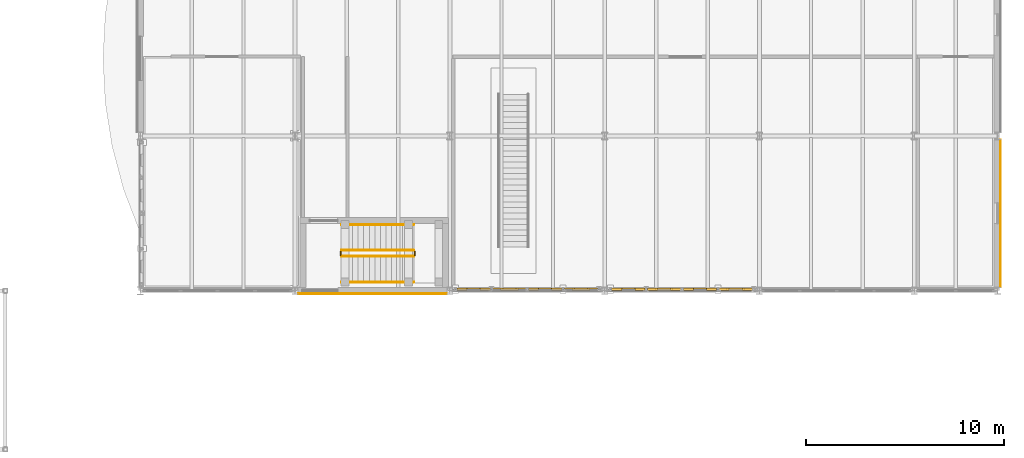
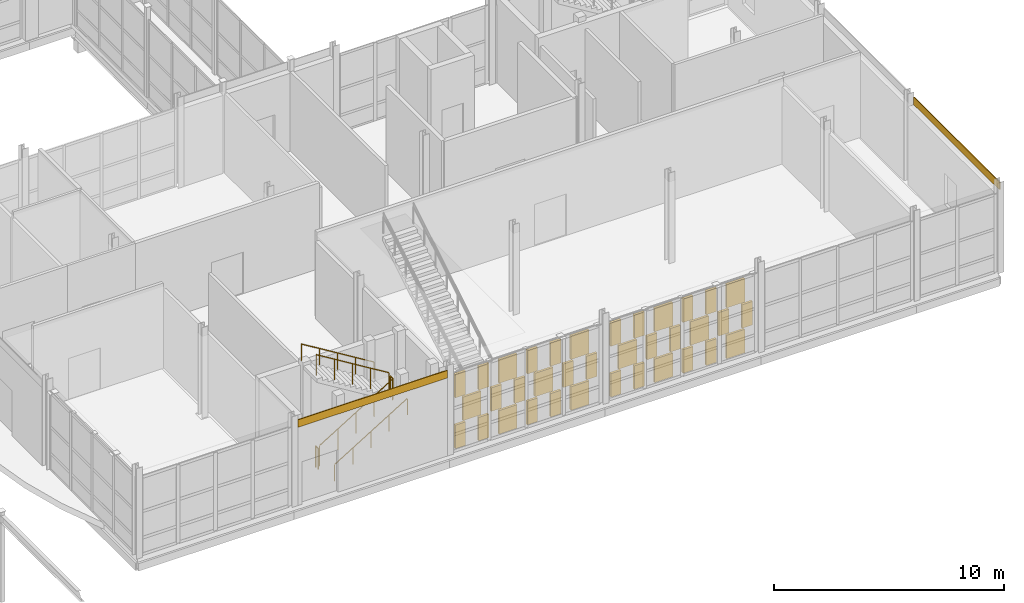
# One storey, part 126 of 131: 38 coverings, 6 railings.
"""IFC4 building model written with IfcOpenShell, lengths in metres."""

from ifc_helpers import new_model, si_unit, direction, frame, origin, origin_2d, place, context, subcontext, project, spatial, rectangle, circle, extrude, material, layer, layer_set, type_object, element, save


model = new_model("IFC4")

# Units and contexts
model_context = context("Model", 3, precision=1e-05, world=origin(), true_north=direction((0.0, 1.0)))
body_context = subcontext(model_context, "Body", "Model", "MODEL_VIEW")
ifc_project = project(units=[si_unit("LENGTHUNIT", "METRE"), si_unit("AREAUNIT", "SQUARE_METRE"), si_unit("VOLUMEUNIT", "CUBIC_METRE"), si_unit("PLANEANGLEUNIT", "RADIAN"), si_unit("MASSUNIT", "GRAM", prefix="KILO")], contexts=[model_context])

# Site, building, storey
site_placement = place(None, origin())
site = spatial("IfcSite", under=ifc_project, at=site_placement, CompositionType="ELEMENT")
building_placement = place(site_placement, origin())
building = spatial("IfcBuilding", under=site, at=building_placement, Name="Celorna Specialist Clinic", CompositionType="ELEMENT")
storey_placement = place(building_placement, origin())
storey = spatial("IfcBuildingStorey", under=building, at=storey_placement, Name="L00", CompositionType="ELEMENT", Elevation=0.0)

# Coverings
ifc_material_1 = material(Name="Pero Pinheiro Lioz limestone rainscreen cladding", Category="masonry")
ifc_layer_1 = layer(ifc_material_1, 0.044921875, Name="Pero Pinheiro Lioz limestone rainscreen cladding")
ifc_layer_set_1 = layer_set([ifc_layer_1], Name="Pero Pinheiro Lioz limestone rainscreen cladding")
covering_type_1 = type_object("IfcCoveringType", Name="CL-01", PredefinedType="CLADDING", material=ifc_layer_set_1)
covering_1_placement = place(storey_placement, frame((136.5, 59.8525390625, 4.14013671875), z_axis=(0.0, 0.0, 1.0), x_axis=(-1.0, 0.0, 0.0)))
element("IfcCovering", 1, at=covering_1_placement, inside=storey, type_object=covering_type_1, Name="Lioz spandrel cladding #141", PredefinedType="CLADDING", context=body_context, shape_type="SweptSolid", body=[
    extrude(rectangle(XDim=7.5, YDim=0.044921875, at=origin_2d()), origin(), (0.0, 0.0, 1.0), 0.39990234375),
])
covering_2_placement = place(storey_placement, frame((168.1474609375, 63.89990234375, 4.14013671875), z_axis=(0.0, 0.0, 1.0), x_axis=(0.0, -1.0, 0.0)))
element("IfcCovering", 2, at=covering_2_placement, inside=storey, type_object=covering_type_1, Name="Lioz spandrel cladding #147", PredefinedType="CLADDING", context=body_context, shape_type="SweptSolid", body=[
    extrude(rectangle(XDim=7.43994140625, YDim=0.044921875, at=origin_2d()), origin(), (0.0, 0.0, 1.0), 0.39990234375),
])
ifc_material_2 = material(Name="Perforated terracotta brick weave cladding", Category="masonry")
ifc_layer_2 = layer(ifc_material_2, 0.114990234375, Name="Perforated terracotta brick weave cladding")
ifc_layer_set_2 = layer_set([ifc_layer_2], Name="Perforated terracotta brick weave cladding")
covering_type_2 = type_object("IfcCoveringType", Name="CL-02", PredefinedType="CLADDING", material=ifc_layer_set_2)
for number, where, z_axis, x_axis, name in (
    (3, (141.0068359375, 60.070068359375, 0.10009765625), (0.0, 0.0, 1.0), (1.0, 0.0, 0.0), "Woven perforated terracotta brick course #1680"),
    (4, (142.177978515625, 60.070068359375, 0.10009765625), (0.0, 0.0, 1.0), (1.0, 0.0, 0.0), "Woven perforated terracotta brick course #1681"),
):
    element("IfcCovering", number, at=place(storey_placement, frame(where, z_axis=z_axis, x_axis=x_axis)), inside=storey, type_object=covering_type_2, Name=name, PredefinedType="CLADDING", context=body_context, shape_type="SweptSolid", body=[
        extrude(rectangle(XDim=0.513916015625, YDim=0.114990234375, at=origin_2d()), origin(), (0.0, 0.0, 1.0), 1.24658203125),
    ])
covering_3_placement = place(storey_placement, frame((141.592529296875, 60.070068359375, 1.44677734375), z_axis=(0.0, 0.0, 1.0), x_axis=(1.0, 0.0, 0.0)))
element("IfcCovering", 5, at=covering_3_placement, inside=storey, type_object=covering_type_2, Name="Woven perforated terracotta brick course #1682", PredefinedType="CLADDING", context=body_context, shape_type="SweptSolid", body=[
    extrude(rectangle(XDim=0.909912109375, YDim=0.114990234375, at=origin_2d()), origin(), (0.0, 0.0, 1.0), 1.24658203125),
])
for number, where, z_axis, x_axis, name in (
    (6, (141.0068359375, 60.070068359375, 2.793212890625), (0.0, 0.0, 1.0), (1.0, 0.0, 0.0), "Woven perforated terracotta brick course #1683"),
    (7, (142.177978515625, 60.070068359375, 2.793212890625), (0.0, 0.0, 1.0), (1.0, 0.0, 0.0), "Woven perforated terracotta brick course #1684"),
):
    element("IfcCovering", number, at=place(storey_placement, frame(where, z_axis=z_axis, x_axis=x_axis)), inside=storey, type_object=covering_type_2, Name=name, PredefinedType="CLADDING", context=body_context, shape_type="SweptSolid", body=[
        extrude(rectangle(XDim=0.513916015625, YDim=0.114990234375, at=origin_2d()), origin(), (0.0, 0.0, 1.0), 1.24658203125),
    ])
covering_4_placement = place(storey_placement, frame((143.3974609375, 60.070068359375, 0.10009765625), z_axis=(0.0, 0.0, 1.0), x_axis=(1.0, 0.0, 0.0)))
element("IfcCovering", 8, at=covering_4_placement, inside=storey, type_object=covering_type_2, Name="Woven perforated terracotta brick course #1685", PredefinedType="CLADDING", context=body_context, shape_type="SweptSolid", body=[
    extrude(rectangle(XDim=0.909912109375, YDim=0.114990234375, at=origin_2d()), origin(), (0.0, 0.0, 1.0), 1.24658203125),
])
for number, where, z_axis, x_axis, name in (
    (9, (142.81201171875, 60.070068359375, 1.44677734375), (0.0, 0.0, 1.0), (1.0, 0.0, 0.0), "Woven perforated terracotta brick course #1686"),
    (10, (143.98291015625, 60.070068359375, 1.44677734375), (0.0, 0.0, 1.0), (1.0, 0.0, 0.0), "Woven perforated terracotta brick course #1687"),
):
    element("IfcCovering", number, at=place(storey_placement, frame(where, z_axis=z_axis, x_axis=x_axis)), inside=storey, type_object=covering_type_2, Name=name, PredefinedType="CLADDING", context=body_context, shape_type="SweptSolid", body=[
        extrude(rectangle(XDim=0.513916015625, YDim=0.114990234375, at=origin_2d()), origin(), (0.0, 0.0, 1.0), 1.24658203125),
    ])
covering_5_placement = place(storey_placement, frame((143.3974609375, 60.070068359375, 2.793212890625), z_axis=(0.0, 0.0, 1.0), x_axis=(1.0, 0.0, 0.0)))
element("IfcCovering", 11, at=covering_5_placement, inside=storey, type_object=covering_type_2, Name="Woven perforated terracotta brick course #1688", PredefinedType="CLADDING", context=body_context, shape_type="SweptSolid", body=[
    extrude(rectangle(XDim=0.909912109375, YDim=0.114990234375, at=origin_2d()), origin(), (0.0, 0.0, 1.0), 1.24658203125),
])
for number, where, z_axis, x_axis, name in (
    (12, (144.616943359375, 60.070068359375, 0.10009765625), (0.0, 0.0, 1.0), (1.0, 0.0, 0.0), "Woven perforated terracotta brick course #1689"),
    (13, (145.7880859375, 60.070068359375, 0.10009765625), (0.0, 0.0, 1.0), (1.0, 0.0, 0.0), "Woven perforated terracotta brick course #1690"),
):
    element("IfcCovering", number, at=place(storey_placement, frame(where, z_axis=z_axis, x_axis=x_axis)), inside=storey, type_object=covering_type_2, Name=name, PredefinedType="CLADDING", context=body_context, shape_type="SweptSolid", body=[
        extrude(rectangle(XDim=0.513916015625, YDim=0.114990234375, at=origin_2d()), origin(), (0.0, 0.0, 1.0), 1.24658203125),
    ])
covering_6_placement = place(storey_placement, frame((145.202392578125, 60.070068359375, 1.44677734375), z_axis=(0.0, 0.0, 1.0), x_axis=(1.0, 0.0, 0.0)))
element("IfcCovering", 14, at=covering_6_placement, inside=storey, type_object=covering_type_2, Name="Woven perforated terracotta brick course #1691", PredefinedType="CLADDING", context=body_context, shape_type="SweptSolid", body=[
    extrude(rectangle(XDim=0.909912109375, YDim=0.114990234375, at=origin_2d()), origin(), (0.0, 0.0, 1.0), 1.24658203125),
])
for number, where, z_axis, x_axis, name in (
    (15, (144.616943359375, 60.070068359375, 2.793212890625), (0.0, 0.0, 1.0), (1.0, 0.0, 0.0), "Woven perforated terracotta brick course #1692"),
    (16, (145.7880859375, 60.070068359375, 2.793212890625), (0.0, 0.0, 1.0), (1.0, 0.0, 0.0), "Woven perforated terracotta brick course #1693"),
):
    element("IfcCovering", number, at=place(storey_placement, frame(where, z_axis=z_axis, x_axis=x_axis)), inside=storey, type_object=covering_type_2, Name=name, PredefinedType="CLADDING", context=body_context, shape_type="SweptSolid", body=[
        extrude(rectangle(XDim=0.513916015625, YDim=0.114990234375, at=origin_2d()), origin(), (0.0, 0.0, 1.0), 1.24658203125),
    ])
covering_7_placement = place(storey_placement, frame((147.007568359375, 60.070068359375, 0.10009765625), z_axis=(0.0, 0.0, 1.0), x_axis=(1.0, 0.0, 0.0)))
element("IfcCovering", 17, at=covering_7_placement, inside=storey, type_object=covering_type_2, Name="Woven perforated terracotta brick course #1694", PredefinedType="CLADDING", context=body_context, shape_type="SweptSolid", body=[
    extrude(rectangle(XDim=0.909912109375, YDim=0.114990234375, at=origin_2d()), origin(), (0.0, 0.0, 1.0), 1.24658203125),
])
for number, where, z_axis, x_axis, name in (
    (18, (146.422119140625, 60.070068359375, 1.44677734375), (0.0, 0.0, 1.0), (1.0, 0.0, 0.0), "Woven perforated terracotta brick course #1695"),
    (19, (147.593017578125, 60.070068359375, 1.44677734375), (0.0, 0.0, 1.0), (1.0, 0.0, 0.0), "Woven perforated terracotta brick course #1696"),
):
    element("IfcCovering", number, at=place(storey_placement, frame(where, z_axis=z_axis, x_axis=x_axis)), inside=storey, type_object=covering_type_2, Name=name, PredefinedType="CLADDING", context=body_context, shape_type="SweptSolid", body=[
        extrude(rectangle(XDim=0.513916015625, YDim=0.114990234375, at=origin_2d()), origin(), (0.0, 0.0, 1.0), 1.24658203125),
    ])
covering_8_placement = place(storey_placement, frame((147.007568359375, 60.070068359375, 2.793212890625), z_axis=(0.0, 0.0, 1.0), x_axis=(1.0, 0.0, 0.0)))
element("IfcCovering", 20, at=covering_8_placement, inside=storey, type_object=covering_type_2, Name="Woven perforated terracotta brick course #1697", PredefinedType="CLADDING", context=body_context, shape_type="SweptSolid", body=[
    extrude(rectangle(XDim=0.909912109375, YDim=0.114990234375, at=origin_2d()), origin(), (0.0, 0.0, 1.0), 1.24658203125),
])
for number, where, z_axis, x_axis, name in (
    (21, (148.806884765625, 60.070068359375, 0.10009765625), (0.0, 0.0, 1.0), (1.0, 0.0, 0.0), "Woven perforated terracotta brick course #1698"),
    (22, (149.97802734375, 60.070068359375, 0.10009765625), (0.0, 0.0, 1.0), (1.0, 0.0, 0.0), "Woven perforated terracotta brick course #1699"),
):
    element("IfcCovering", number, at=place(storey_placement, frame(where, z_axis=z_axis, x_axis=x_axis)), inside=storey, type_object=covering_type_2, Name=name, PredefinedType="CLADDING", context=body_context, shape_type="SweptSolid", body=[
        extrude(rectangle(XDim=0.513916015625, YDim=0.114990234375, at=origin_2d()), origin(), (0.0, 0.0, 1.0), 1.24658203125),
    ])
covering_9_placement = place(storey_placement, frame((149.392578125, 60.070068359375, 1.44677734375), z_axis=(0.0, 0.0, 1.0), x_axis=(1.0, 0.0, 0.0)))
element("IfcCovering", 23, at=covering_9_placement, inside=storey, type_object=covering_type_2, Name="Woven perforated terracotta brick course #1700", PredefinedType="CLADDING", context=body_context, shape_type="SweptSolid", body=[
    extrude(rectangle(XDim=0.909912109375, YDim=0.114990234375, at=origin_2d()), origin(), (0.0, 0.0, 1.0), 1.24658203125),
])
for number, where, z_axis, x_axis, name in (
    (24, (148.806884765625, 60.070068359375, 2.793212890625), (0.0, 0.0, 1.0), (1.0, 0.0, 0.0), "Woven perforated terracotta brick course #1701"),
    (25, (149.97802734375, 60.070068359375, 2.793212890625), (0.0, 0.0, 1.0), (1.0, 0.0, 0.0), "Woven perforated terracotta brick course #1702"),
):
    element("IfcCovering", number, at=place(storey_placement, frame(where, z_axis=z_axis, x_axis=x_axis)), inside=storey, type_object=covering_type_2, Name=name, PredefinedType="CLADDING", context=body_context, shape_type="SweptSolid", body=[
        extrude(rectangle(XDim=0.513916015625, YDim=0.114990234375, at=origin_2d()), origin(), (0.0, 0.0, 1.0), 1.24658203125),
    ])
covering_10_placement = place(storey_placement, frame((151.197509765625, 60.070068359375, 0.10009765625), z_axis=(0.0, 0.0, 1.0), x_axis=(1.0, 0.0, 0.0)))
element("IfcCovering", 26, at=covering_10_placement, inside=storey, type_object=covering_type_2, Name="Woven perforated terracotta brick course #1703", PredefinedType="CLADDING", context=body_context, shape_type="SweptSolid", body=[
    extrude(rectangle(XDim=0.909912109375, YDim=0.114990234375, at=origin_2d()), origin(), (0.0, 0.0, 1.0), 1.24658203125),
])
for number, where, z_axis, x_axis, name in (
    (27, (150.612060546875, 60.070068359375, 1.44677734375), (0.0, 0.0, 1.0), (1.0, 0.0, 0.0), "Woven perforated terracotta brick course #1704"),
    (28, (151.783203125, 60.070068359375, 1.44677734375), (0.0, 0.0, 1.0), (1.0, 0.0, 0.0), "Woven perforated terracotta brick course #1705"),
):
    element("IfcCovering", number, at=place(storey_placement, frame(where, z_axis=z_axis, x_axis=x_axis)), inside=storey, type_object=covering_type_2, Name=name, PredefinedType="CLADDING", context=body_context, shape_type="SweptSolid", body=[
        extrude(rectangle(XDim=0.513916015625, YDim=0.114990234375, at=origin_2d()), origin(), (0.0, 0.0, 1.0), 1.24658203125),
    ])
covering_11_placement = place(storey_placement, frame((151.197509765625, 60.070068359375, 2.793212890625), z_axis=(0.0, 0.0, 1.0), x_axis=(1.0, 0.0, 0.0)))
element("IfcCovering", 29, at=covering_11_placement, inside=storey, type_object=covering_type_2, Name="Woven perforated terracotta brick course #1706", PredefinedType="CLADDING", context=body_context, shape_type="SweptSolid", body=[
    extrude(rectangle(XDim=0.909912109375, YDim=0.114990234375, at=origin_2d()), origin(), (0.0, 0.0, 1.0), 1.24658203125),
])
for number, where, z_axis, x_axis, name in (
    (30, (152.4169921875, 60.070068359375, 0.10009765625), (0.0, 0.0, 1.0), (1.0, 0.0, 0.0), "Woven perforated terracotta brick course #1707"),
    (31, (153.587890625, 60.070068359375, 0.10009765625), (0.0, 0.0, 1.0), (1.0, 0.0, 0.0), "Woven perforated terracotta brick course #1708"),
):
    element("IfcCovering", number, at=place(storey_placement, frame(where, z_axis=z_axis, x_axis=x_axis)), inside=storey, type_object=covering_type_2, Name=name, PredefinedType="CLADDING", context=body_context, shape_type="SweptSolid", body=[
        extrude(rectangle(XDim=0.513916015625, YDim=0.114990234375, at=origin_2d()), origin(), (0.0, 0.0, 1.0), 1.24658203125),
    ])
covering_12_placement = place(storey_placement, frame((153.00244140625, 60.070068359375, 1.44677734375), z_axis=(0.0, 0.0, 1.0), x_axis=(1.0, 0.0, 0.0)))
element("IfcCovering", 32, at=covering_12_placement, inside=storey, type_object=covering_type_2, Name="Woven perforated terracotta brick course #1709", PredefinedType="CLADDING", context=body_context, shape_type="SweptSolid", body=[
    extrude(rectangle(XDim=0.909912109375, YDim=0.114990234375, at=origin_2d()), origin(), (0.0, 0.0, 1.0), 1.24658203125),
])
for number, where, z_axis, x_axis, name in (
    (33, (152.4169921875, 60.070068359375, 2.793212890625), (0.0, 0.0, 1.0), (1.0, 0.0, 0.0), "Woven perforated terracotta brick course #1710"),
    (34, (153.587890625, 60.070068359375, 2.793212890625), (0.0, 0.0, 1.0), (1.0, 0.0, 0.0), "Woven perforated terracotta brick course #1711"),
):
    element("IfcCovering", number, at=place(storey_placement, frame(where, z_axis=z_axis, x_axis=x_axis)), inside=storey, type_object=covering_type_2, Name=name, PredefinedType="CLADDING", context=body_context, shape_type="SweptSolid", body=[
        extrude(rectangle(XDim=0.513916015625, YDim=0.114990234375, at=origin_2d()), origin(), (0.0, 0.0, 1.0), 1.24658203125),
    ])
covering_13_placement = place(storey_placement, frame((154.8076171875, 60.070068359375, 0.10009765625), z_axis=(0.0, 0.0, 1.0), x_axis=(1.0, 0.0, 0.0)))
element("IfcCovering", 35, at=covering_13_placement, inside=storey, type_object=covering_type_2, Name="Woven perforated terracotta brick course #1712", PredefinedType="CLADDING", context=body_context, shape_type="SweptSolid", body=[
    extrude(rectangle(XDim=0.909912109375, YDim=0.114990234375, at=origin_2d()), origin(), (0.0, 0.0, 1.0), 1.24658203125),
])
for number, where, z_axis, x_axis, name in (
    (36, (154.221923828125, 60.070068359375, 1.44677734375), (0.0, 0.0, 1.0), (1.0, 0.0, 0.0), "Woven perforated terracotta brick course #1713"),
    (37, (155.39306640625, 60.070068359375, 1.44677734375), (0.0, 0.0, 1.0), (1.0, 0.0, 0.0), "Woven perforated terracotta brick course #1714"),
):
    element("IfcCovering", number, at=place(storey_placement, frame(where, z_axis=z_axis, x_axis=x_axis)), inside=storey, type_object=covering_type_2, Name=name, PredefinedType="CLADDING", context=body_context, shape_type="SweptSolid", body=[
        extrude(rectangle(XDim=0.513916015625, YDim=0.114990234375, at=origin_2d()), origin(), (0.0, 0.0, 1.0), 1.24658203125),
    ])
covering_14_placement = place(storey_placement, frame((154.8076171875, 60.070068359375, 2.793212890625), z_axis=(0.0, 0.0, 1.0), x_axis=(1.0, 0.0, 0.0)))
element("IfcCovering", 38, at=covering_14_placement, inside=storey, type_object=covering_type_2, Name="Woven perforated terracotta brick course #1715", PredefinedType="CLADDING", context=body_context, shape_type="SweptSolid", body=[
    extrude(rectangle(XDim=0.909912109375, YDim=0.114990234375, at=origin_2d()), origin(), (0.0, 0.0, 1.0), 1.24658203125),
])

# Railings
ifc_material_3 = material(Name="Powder-coated steel S355", Category="steel")
railing_type_1 = type_object("IfcRailingType", Name="GR-01", PredefinedType="GUARDRAIL", material=ifc_material_3)
railing_1_placement = place(storey_placement, frame((134.93994140625, 61.72998046875, 0.17138671875)))
element("IfcRailing", 39, at=railing_1_placement, inside=storey, type_object=railing_type_1, Name="L00 ST-13 stair guard 1", PredefinedType="GUARDRAIL", context=body_context, shape_type="SweptSolid", body=[
    extrude(circle(Radius=0.02392578125, at=origin_2d()), frame((0.0, 0.0, 1.09619140625), z_axis=(0.852865859571, 0.0, 0.52213008492), x_axis=(0.0, 1.0, 0.0)), (0.0, 0.0, 1.0), 4.26806640625),
    extrude(circle(Radius=0.02099609375, at=origin_2d()), origin(), (0.0, 0.0, 1.0), 1.072021484375),
    extrude(circle(Radius=0.02099609375, at=origin_2d()), frame((0.91015625, 0.0, 0.55712890625)), (0.0, 0.0, 1.0), 1.072021484375),
    extrude(circle(Radius=0.02099609375, at=origin_2d()), frame((1.820068359375, 0.0, 1.1142578125)), (0.0, 0.0, 1.0), 1.072021484375),
    extrude(circle(Radius=0.02099609375, at=origin_2d()), frame((2.72998046875, 0.0, 1.67138671875)), (0.0, 0.0, 1.0), 1.072021484375),
    extrude(circle(Radius=0.02099609375, at=origin_2d()), frame((3.64013671875, 0.0, 2.228515625)), (0.0, 0.0, 1.0), 1.072021484375),
])
railing_2_placement = place(storey_placement, frame((138.6298828125, 61.780029296875, 2.39990234375)))
element("IfcRailing", 40, at=railing_2_placement, inside=storey, type_object=railing_type_1, Name="L00 ST-13 stair guard 2", PredefinedType="GUARDRAIL", context=body_context, shape_type="SweptSolid", body=[
    extrude(circle(Radius=0.02392578125, at=origin_2d()), frame((0.0, 0.0, 1.09619140625), z_axis=(0.0, 1.0, 0.0), x_axis=(-1.0, 0.0, 0.0)), (0.0, 0.0, 1.0), 0.199951171875),
    extrude(circle(Radius=0.02099609375, at=origin_2d()), origin(), (0.0, 0.0, 1.0), 1.072021484375),
    extrude(circle(Radius=0.02099609375, at=origin_2d()), frame((0.0, 0.199951171875, 0.0)), (0.0, 0.0, 1.0), 1.072021484375),
])
railing_3_placement = place(storey_placement, frame((138.580078125, 62.030029296875, 2.571533203125)))
element("IfcRailing", 41, at=railing_3_placement, inside=storey, type_object=railing_type_1, Name="L00 ST-13 stair guard 3", PredefinedType="GUARDRAIL", context=body_context, shape_type="SweptSolid", body=[
    extrude(circle(Radius=0.02392578125, at=origin_2d()), frame((0.0, 0.0, 1.09619140625), z_axis=(-0.852865859571, 0.0, 0.52213008492), x_axis=(0.0, -1.0, 0.0)), (0.0, 0.0, 1.0), 4.26806640625),
    extrude(circle(Radius=0.02099609375, at=origin_2d()), origin(), (0.0, 0.0, 1.0), 1.072021484375),
    extrude(circle(Radius=0.02099609375, at=origin_2d()), frame((-0.91015625, 0.0, 0.55712890625)), (0.0, 0.0, 1.0), 1.072021484375),
    extrude(circle(Radius=0.02099609375, at=origin_2d()), frame((-1.820068359375, 0.0, 1.1142578125)), (0.0, 0.0, 1.0), 1.072021484375),
    extrude(circle(Radius=0.02099609375, at=origin_2d()), frame((-2.72998046875, 0.0, 1.67138671875)), (0.0, 0.0, 1.0), 1.072021484375),
    extrude(circle(Radius=0.02099609375, at=origin_2d()), frame((-3.64013671875, 0.0, 2.228515625)), (0.0, 0.0, 1.0), 1.072021484375),
])
railing_4_placement = place(storey_placement, frame((134.889892578125, 61.780029296875, 0.0)))
element("IfcRailing", 42, at=railing_4_placement, inside=storey, type_object=railing_type_1, Name="L00 ST-13 stair guard 4", PredefinedType="GUARDRAIL", context=body_context, shape_type="SweptSolid", body=[
    extrude(circle(Radius=0.02392578125, at=origin_2d()), frame((0.0, 0.0, 1.09619140625), z_axis=(0.0, 1.0, 0.0), x_axis=(-1.0, 0.0, 0.0)), (0.0, 0.0, 1.0), 0.199951171875),
    extrude(circle(Radius=0.02099609375, at=origin_2d()), origin(), (0.0, 0.0, 1.0), 1.072021484375),
    extrude(circle(Radius=0.02099609375, at=origin_2d()), frame((0.0, 0.199951171875, 0.0)), (0.0, 0.0, 1.0), 1.072021484375),
])
ifc_material_4 = material(Name="Brushed stainless steel handrail", Category="steel")
railing_type_2 = type_object("IfcRailingType", Name="HR-01", PredefinedType="HANDRAIL", material=ifc_material_4)
railing_5_placement = place(storey_placement, frame((134.93994140625, 60.429931640625, 0.17138671875)))
element("IfcRailing", 43, at=railing_5_placement, inside=storey, type_object=railing_type_2, Name="L00 ST-13 stair handrail 1", PredefinedType="HANDRAIL", context=body_context, shape_type="SweptSolid", body=[
    extrude(circle(Radius=0.02392578125, at=origin_2d()), frame((0.0, 0.0, 0.8759765625), z_axis=(0.852865859571, 0.0, 0.52213008492), x_axis=(0.0, 1.0, 0.0)), (0.0, 0.0, 1.0), 4.26806640625),
    extrude(circle(Radius=0.02099609375, at=origin_2d()), origin(), (0.0, 0.0, 1.0), 0.851806640625),
    extrude(circle(Radius=0.02099609375, at=origin_2d()), frame((0.91015625, 0.0, 0.55712890625)), (0.0, 0.0, 1.0), 0.851806640625),
    extrude(circle(Radius=0.02099609375, at=origin_2d()), frame((1.820068359375, 0.0, 1.1142578125)), (0.0, 0.0, 1.0), 0.851806640625),
    extrude(circle(Radius=0.02099609375, at=origin_2d()), frame((2.72998046875, 0.0, 1.67138671875)), (0.0, 0.0, 1.0), 0.851806640625),
    extrude(circle(Radius=0.02099609375, at=origin_2d()), frame((3.64013671875, 0.0, 2.228515625)), (0.0, 0.0, 1.0), 0.851806640625),
])
railing_6_placement = place(storey_placement, frame((138.580078125, 63.330078125, 2.571533203125)))
element("IfcRailing", 44, at=railing_6_placement, inside=storey, type_object=railing_type_2, Name="L00 ST-13 stair handrail 2", PredefinedType="HANDRAIL", context=body_context, shape_type="SweptSolid", body=[
    extrude(circle(Radius=0.02392578125, at=origin_2d()), frame((0.0, 0.0, 0.8759765625), z_axis=(-0.852865859571, 0.0, 0.52213008492), x_axis=(0.0, -1.0, 0.0)), (0.0, 0.0, 1.0), 4.26806640625),
    extrude(circle(Radius=0.02099609375, at=origin_2d()), origin(), (0.0, 0.0, 1.0), 0.851806640625),
    extrude(circle(Radius=0.02099609375, at=origin_2d()), frame((-0.91015625, 0.0, 0.55712890625)), (0.0, 0.0, 1.0), 0.851806640625),
    extrude(circle(Radius=0.02099609375, at=origin_2d()), frame((-1.820068359375, 0.0, 1.1142578125)), (0.0, 0.0, 1.0), 0.851806640625),
    extrude(circle(Radius=0.02099609375, at=origin_2d()), frame((-2.72998046875, 0.0, 1.67138671875)), (0.0, 0.0, 1.0), 0.851806640625),
    extrude(circle(Radius=0.02099609375, at=origin_2d()), frame((-3.64013671875, 0.0, 2.228515625)), (0.0, 0.0, 1.0), 0.851806640625),
])

save(model, "model.ifc")
